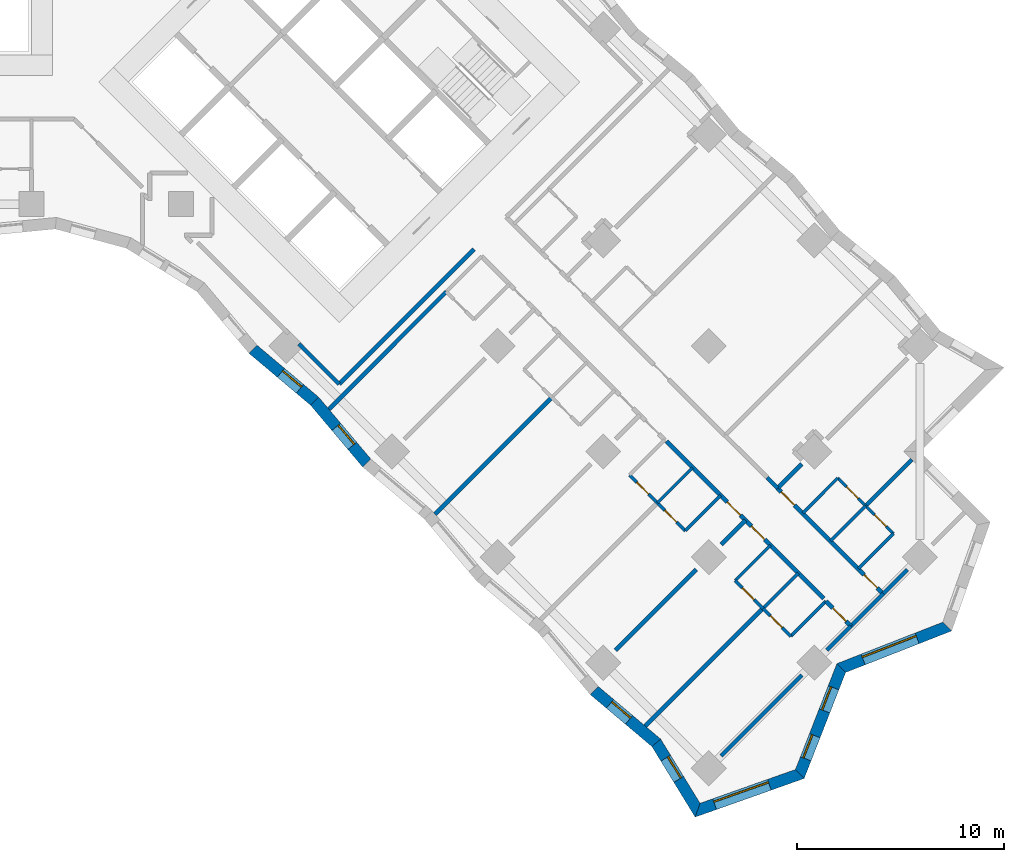
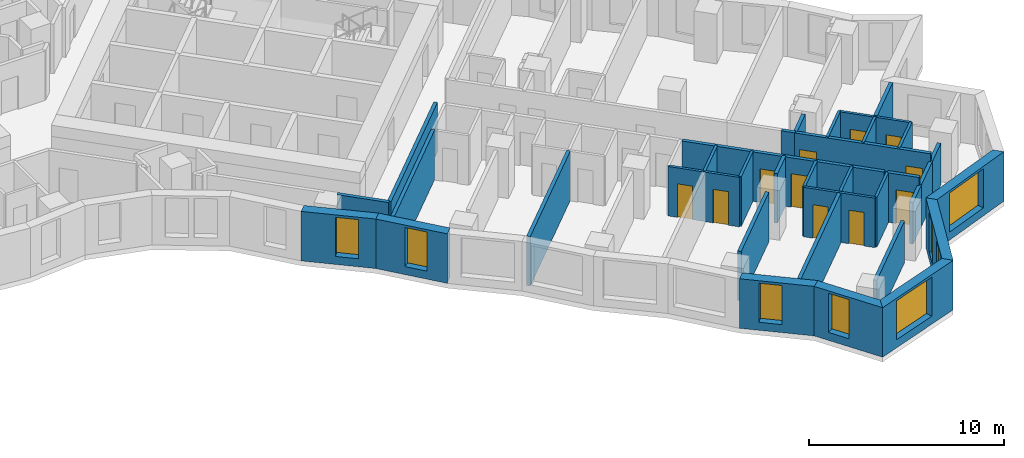
# One storey, part 8 of 13: 36 walls, 11 doors, 8 windows, 19 openings.
"""IFC4 building model written with IfcOpenShell, lengths in metres."""

from ifc_helpers import new_model, si_unit, direction, frame, frame_2d, origin, place, context, subcontext, project, spatial, polyline, rectangle, outline, extrude, material, layer, layer_set, type_object, element, fill, save


model = new_model("IFC4")

# Units and contexts
model_context = context("Model", 3, precision=1e-05, world=origin(), true_north=direction((0.0, 1.0)))
body_context = subcontext(model_context, "Body", "Model", "MODEL_VIEW")
ifc_project = project(units=[si_unit("LENGTHUNIT", "METRE"), si_unit("AREAUNIT", "SQUARE_METRE"), si_unit("VOLUMEUNIT", "CUBIC_METRE"), si_unit("PLANEANGLEUNIT", "RADIAN"), si_unit("MASSUNIT", "GRAM", prefix="KILO")], contexts=[model_context])

# Site, building, storey
site_placement = place(None, origin())
site = spatial("IfcSite", under=ifc_project, at=site_placement, CompositionType="ELEMENT")
building_placement = place(site_placement, origin())
building = spatial("IfcBuilding", under=site, at=building_placement, Name="Windrow Commons", CompositionType="ELEMENT")
storey_placement = place(building_placement, frame((0.0, 0.0, 30.4)))
storey = spatial("IfcBuildingStorey", under=building, at=storey_placement, Name="L07", CompositionType="ELEMENT", Elevation=30.4)

# Wall, opening, window
ifc_material_1 = material(Name="Brick masonry, red clay brick", Category="masonry")
ifc_layer_1 = layer(ifc_material_1, 0.55)
ifc_layer_set_1 = layer_set([ifc_layer_1], Name="Brick facade wall 550")
wall_type_1 = type_object("IfcWallType", Name="Brick facade wall 550", PredefinedType="SOLIDWALL", material=ifc_layer_set_1)
wall_1_placement = place(storey_placement, frame((104.1162, 13.976, 0.0), z_axis=(0.0, 0.0, 1.0), x_axis=(0.9426203267, 0.3338666195, 0.0)))
wall_1 = element("IfcWall", 1, at=wall_1_placement, inside=storey, type_object=wall_type_1, Name="Brick facade wall L07 1", PredefinedType="SOLIDWALL", context=body_context, shape_type="SweptSolid", body=[
    extrude(outline(polyline([(-0.2226, -0.275), (5.3529, -0.275), (5.1016, 0.275), (0.2226, 0.275), (-0.2226, -0.275)])), origin(), (0.0, 0.0, 1.0), 3.1),
])
opening_1_placement = place(wall_1_placement, frame((0.8714, 0.0, 0.5)))
opening_1 = element("IfcOpeningElement", 2, at=opening_1_placement, cuts=wall_1, Name="Opening W1T", PredefinedType="OPENING", context=body_context, shape_type="SweptSolid", body=[
    extrude(rectangle(XDim=2.8, YDim=2.45, at=frame_2d((1.4, 1.225))), frame((0.0, 0.285, 0.0), z_axis=(0.0, -1.0, 0.0), x_axis=(1.0, 0.0, 0.0)), (0.0, 0.0, 1.0), 0.57),
])
ifc_material_2 = material(Name="Clear float glass in anodised aluminium frame", Category="aluminium")
window_type_1 = type_object("IfcWindowType", Name="Window W1T bedroom 2800x2450", PartitioningType="SINGLE_PANEL", PredefinedType="WINDOW", material=ifc_material_2)
window_1_placement = place(opening_1_placement, origin())
window_1 = element("IfcWindow", 3, at=window_1_placement, inside=storey, type_object=window_type_1, Name="Window L07 1.1", OverallHeight=2.45, OverallWidth=2.8, PartitioningType="SINGLE_PANEL", PredefinedType="WINDOW", context=body_context, shape_type="SweptSolid", body=[
    extrude(rectangle(XDim=2.8, YDim=2.45, at=frame_2d((1.4, 1.225))), frame((0.0, 0.155, 0.0), z_axis=(0.0, -1.0, 0.0), x_axis=(1.0, 0.0, 0.0)), (0.0, 0.0, 1.0), 0.06),
])
fill(opening_1, window_1)

# Wall, openings, windows
wall_2_placement = place(storey_placement, frame((109.0435, 15.7212, 0.0), z_axis=(0.0, 0.0, 1.0), x_axis=(0.3646659578, 0.9311384103, 0.0)))
wall_2 = element("IfcWall", 4, at=wall_2_placement, inside=storey, type_object=wall_type_1, Name="Brick facade wall L07 2", PredefinedType="SOLIDWALL", context=body_context, shape_type="SweptSolid", body=[
    extrude(outline(polyline([(-0.1256, -0.275), (5.3667, -0.275), (5.6072, 0.275), (0.1256, 0.275), (-0.1256, -0.275)])), origin(), (0.0, 0.0, 1.0), 3.1),
])
opening_2_placement = place(wall_2_placement, frame((0.7865, 0.0, 0.5)))
opening_2 = element("IfcOpeningElement", 5, at=opening_2_placement, cuts=wall_2, Name="Opening W7D", PredefinedType="OPENING", context=body_context, shape_type="SweptSolid", body=[
    extrude(rectangle(XDim=1.2, YDim=2.45, at=frame_2d((0.6, 1.225))), frame((0.0, 0.285, 0.0), z_axis=(0.0, -1.0, 0.0), x_axis=(1.0, 0.0, 0.0)), (0.0, 0.0, 1.0), 0.57),
])
opening_3_placement = place(wall_2_placement, frame((3.2671, 0.0, 0.5)))
opening_3 = element("IfcOpeningElement", 6, at=opening_3_placement, cuts=wall_2, Name="Opening W7D", PredefinedType="OPENING", context=body_context, shape_type="SweptSolid", body=[
    extrude(rectangle(XDim=1.2, YDim=2.45, at=frame_2d((0.6, 1.225))), frame((0.0, 0.285, 0.0), z_axis=(0.0, -1.0, 0.0), x_axis=(1.0, 0.0, 0.0)), (0.0, 0.0, 1.0), 0.57),
])
ifc_material_3 = material(Name="Clear float glass in anodised aluminium frame", Category="aluminium")
window_type_2 = type_object("IfcWindowType", Name="Window W7 notch 1200x2450", PartitioningType="SINGLE_PANEL", PredefinedType="WINDOW", material=ifc_material_3)
window_2_placement = place(opening_2_placement, origin())
window_2 = element("IfcWindow", 7, at=window_2_placement, inside=storey, type_object=window_type_2, Name="Window L07 2.1", OverallHeight=2.45, OverallWidth=1.2, PartitioningType="SINGLE_PANEL", PredefinedType="WINDOW", context=body_context, shape_type="SweptSolid", body=[
    extrude(rectangle(XDim=1.2, YDim=2.45, at=frame_2d((0.6, 1.225))), frame((0.0, 0.155, 0.0), z_axis=(0.0, -1.0, 0.0), x_axis=(1.0, 0.0, 0.0)), (0.0, 0.0, 1.0), 0.06),
])
fill(opening_2, window_2)
window_3_placement = place(opening_3_placement, origin())
window_3 = element("IfcWindow", 8, at=window_3_placement, inside=storey, type_object=window_type_2, Name="Window L07 2.2", OverallHeight=2.45, OverallWidth=1.2, PartitioningType="SINGLE_PANEL", PredefinedType="WINDOW", context=body_context, shape_type="SweptSolid", body=[
    extrude(rectangle(XDim=1.2, YDim=2.45, at=frame_2d((0.6, 1.225))), frame((0.0, 0.155, 0.0), z_axis=(0.0, -1.0, 0.0), x_axis=(1.0, 0.0, 0.0)), (0.0, 0.0, 1.0), 0.06),
])
fill(opening_3, window_3)

# Wall, opening, window
wall_3_placement = place(storey_placement, frame((111.0444, 20.8303, 0.0), z_axis=(0.0, 0.0, 1.0), x_axis=(0.9311384103, 0.3646659578, 0.0)))
wall_3 = element("IfcWall", 9, at=wall_3_placement, inside=storey, type_object=wall_type_1, Name="Brick facade wall L07 3", PredefinedType="SOLIDWALL", context=body_context, shape_type="SweptSolid", body=[
    extrude(outline(polyline([(0.1202, -0.275), (5.6126, -0.275), (5.3613, 0.275), (-0.1202, 0.275), (0.1202, -0.275)])), origin(), (0.0, 0.0, 1.0), 3.1),
])
opening_4_placement = place(wall_3_placement, frame((1.1298, 0.0, 0.5)))
opening_4 = element("IfcOpeningElement", 10, at=opening_4_placement, cuts=wall_3, Name="Opening W1T", PredefinedType="OPENING", context=body_context, shape_type="SweptSolid", body=[
    extrude(rectangle(XDim=2.8, YDim=2.45, at=frame_2d((1.4, 1.225))), frame((0.0, 0.285, 0.0), z_axis=(0.0, -1.0, 0.0), x_axis=(1.0, 0.0, 0.0)), (0.0, 0.0, 1.0), 0.57),
])
window_4_placement = place(opening_4_placement, origin())
window_4 = element("IfcWindow", 11, at=window_4_placement, inside=storey, type_object=window_type_1, Name="Window L07 3.1", OverallHeight=2.45, OverallWidth=2.8, PartitioningType="SINGLE_PANEL", PredefinedType="WINDOW", context=body_context, shape_type="SweptSolid", body=[
    extrude(rectangle(XDim=2.8, YDim=2.45, at=frame_2d((1.4, 1.225))), frame((0.0, 0.155, 0.0), z_axis=(0.0, -1.0, 0.0), x_axis=(1.0, 0.0, 0.0)), (0.0, 0.0, 1.0), 0.06),
])
fill(opening_4, window_4)

wall_4_placement = place(storey_placement, frame((82.6756, 36.2039, 0.0), z_axis=(0.0, 0.0, 1.0), x_axis=(0.7645046987, -0.6446181549, 0.0)))
wall_4 = element("IfcWall", 12, at=wall_4_placement, inside=storey, type_object=wall_type_1, Name="Brick facade wall L07 56", PredefinedType="SOLIDWALL", context=body_context, shape_type="SweptSolid", body=[
    extrude(outline(polyline([(-0.0234, -0.275), (3.8695, -0.275), (3.9162, 0.275), (0.0234, 0.275), (-0.0234, -0.275)])), origin(), (0.0, 0.0, 1.0), 3.1),
])
opening_5_placement = place(wall_4_placement, frame((1.7636, 0.0, 0.5)))
opening_5 = element("IfcOpeningElement", 13, at=opening_5_placement, cuts=wall_4, Name="Opening W7D", PredefinedType="OPENING", context=body_context, shape_type="SweptSolid", body=[
    extrude(rectangle(XDim=1.2, YDim=2.45, at=frame_2d((0.6, 1.225))), frame((0.0, 0.285, 0.0), z_axis=(0.0, -1.0, 0.0), x_axis=(1.0, 0.0, 0.0)), (0.0, 0.0, 1.0), 0.57),
])
window_5_placement = place(opening_5_placement, origin())
window_5 = element("IfcWindow", 14, at=window_5_placement, inside=storey, type_object=window_type_2, Name="Window L07 56.1", OverallHeight=2.45, OverallWidth=1.2, PartitioningType="SINGLE_PANEL", PredefinedType="WINDOW", context=body_context, shape_type="SweptSolid", body=[
    extrude(rectangle(XDim=1.2, YDim=2.45, at=frame_2d((0.6, 1.225))), frame((0.0, 0.155, 0.0), z_axis=(0.0, -1.0, 0.0), x_axis=(1.0, 0.0, 0.0)), (0.0, 0.0, 1.0), 0.06),
])
fill(opening_5, window_5)

wall_5_placement = place(storey_placement, frame((85.6517, 33.6945, 0.0), z_axis=(0.0, 0.0, 1.0), x_axis=(0.6446181549, -0.7645046987, 0.0)))
wall_5 = element("IfcWall", 15, at=wall_5_placement, inside=storey, type_object=wall_type_1, Name="Brick facade wall L07 57", PredefinedType="SOLIDWALL", context=body_context, shape_type="SweptSolid", body=[
    extrude(outline(polyline([(0.0234, -0.275), (3.9162, -0.275), (3.8695, 0.275), (-0.0234, 0.275), (0.0234, -0.275)])), origin(), (0.0, 0.0, 1.0), 3.1),
])
opening_6_placement = place(wall_5_placement, frame((1.612, 0.0, 0.5)))
opening_6 = element("IfcOpeningElement", 16, at=opening_6_placement, cuts=wall_5, Name="Opening W7D", PredefinedType="OPENING", context=body_context, shape_type="SweptSolid", body=[
    extrude(rectangle(XDim=1.2, YDim=2.45, at=frame_2d((0.6, 1.225))), frame((0.0, 0.285, 0.0), z_axis=(0.0, -1.0, 0.0), x_axis=(1.0, 0.0, 0.0)), (0.0, 0.0, 1.0), 0.57),
])
window_6_placement = place(opening_6_placement, origin())
window_6 = element("IfcWindow", 17, at=window_6_placement, inside=storey, type_object=window_type_2, Name="Window L07 57.1", OverallHeight=2.45, OverallWidth=1.2, PartitioningType="SINGLE_PANEL", PredefinedType="WINDOW", context=body_context, shape_type="SweptSolid", body=[
    extrude(rectangle(XDim=1.2, YDim=2.45, at=frame_2d((0.6, 1.225))), frame((0.0, 0.155, 0.0), z_axis=(0.0, -1.0, 0.0), x_axis=(1.0, 0.0, 0.0)), (0.0, 0.0, 1.0), 0.06),
])
fill(opening_6, window_6)

wall_6_placement = place(storey_placement, frame((99.1321, 19.7474, 0.0), z_axis=(0.0, 0.0, 1.0), x_axis=(0.7645141753, -0.6446069156, 0.0)))
wall_6 = element("IfcWall", 18, at=wall_6_placement, inside=storey, type_object=wall_type_1, Name="Brick facade wall L07 62", PredefinedType="SOLIDWALL", context=body_context, shape_type="SweptSolid", body=[
    extrude(outline(polyline([(-0.0234, -0.275), (3.8695, -0.275), (3.9583, 0.275), (0.0234, 0.275), (-0.0234, -0.275)])), origin(), (0.0, 0.0, 1.0), 3.1),
])
opening_7_placement = place(wall_6_placement, frame((0.9959, 0.0, 0.5)))
opening_7 = element("IfcOpeningElement", 19, at=opening_7_placement, cuts=wall_6, Name="Opening W7D", PredefinedType="OPENING", context=body_context, shape_type="SweptSolid", body=[
    extrude(rectangle(XDim=1.2, YDim=2.45, at=frame_2d((0.6, 1.225))), frame((0.0, 0.285, 0.0), z_axis=(0.0, -1.0, 0.0), x_axis=(1.0, 0.0, 0.0)), (0.0, 0.0, 1.0), 0.57),
])
window_7_placement = place(opening_7_placement, origin())
window_7 = element("IfcWindow", 20, at=window_7_placement, inside=storey, type_object=window_type_2, Name="Window L07 62.1", OverallHeight=2.45, OverallWidth=1.2, PartitioningType="SINGLE_PANEL", PredefinedType="WINDOW", context=body_context, shape_type="SweptSolid", body=[
    extrude(rectangle(XDim=1.2, YDim=2.45, at=frame_2d((0.6, 1.225))), frame((0.0, 0.155, 0.0), z_axis=(0.0, -1.0, 0.0), x_axis=(1.0, 0.0, 0.0)), (0.0, 0.0, 1.0), 0.06),
])
fill(opening_7, window_7)

wall_7_placement = place(storey_placement, frame((102.1243, 17.2245, 0.0), z_axis=(0.0, 0.0, 1.0), x_axis=(0.5227306608, -0.8524978922, 0.0)))
wall_7 = element("IfcWall", 21, at=wall_7_placement, inside=storey, type_object=wall_type_1, Name="Brick facade wall L07 63", PredefinedType="SOLIDWALL", context=body_context, shape_type="SweptSolid", body=[
    extrude(outline(polyline([(0.0444, -0.275), (4.0332, -0.275), (3.5879, 0.275), (-0.0444, 0.275), (0.0444, -0.275)])), origin(), (0.0, 0.0, 1.0), 3.1),
])
opening_8_placement = place(wall_7_placement, frame((0.8666, 0.0, 0.5)))
opening_8 = element("IfcOpeningElement", 22, at=opening_8_placement, cuts=wall_7, Name="Opening W7D", PredefinedType="OPENING", context=body_context, shape_type="SweptSolid", body=[
    extrude(rectangle(XDim=1.2, YDim=2.45, at=frame_2d((0.6, 1.225))), frame((0.0, 0.285, 0.0), z_axis=(0.0, -1.0, 0.0), x_axis=(1.0, 0.0, 0.0)), (0.0, 0.0, 1.0), 0.57),
])
window_8_placement = place(opening_8_placement, origin())
window_8 = element("IfcWindow", 23, at=window_8_placement, inside=storey, type_object=window_type_2, Name="Window L07 63.1", OverallHeight=2.45, OverallWidth=1.2, PartitioningType="SINGLE_PANEL", PredefinedType="WINDOW", context=body_context, shape_type="SweptSolid", body=[
    extrude(rectangle(XDim=1.2, YDim=2.45, at=frame_2d((0.6, 1.225))), frame((0.0, 0.155, 0.0), z_axis=(0.0, -1.0, 0.0), x_axis=(1.0, 0.0, 0.0)), (0.0, 0.0, 1.0), 0.06),
])
fill(opening_8, window_8)

# Wall, openings, doors
ifc_material_4 = material(Name="Blockwork partition", Category="masonry")
ifc_layer_2 = layer(ifc_material_4, 0.2)
ifc_layer_set_2 = layer_set([ifc_layer_2], Name="IW-CORRIDOR-200")
wall_type_2 = type_object("IfcWallType", Name="IW-CORRIDOR-200", PredefinedType="PARTITIONING", material=ifc_layer_set_2)
wall_8_placement = place(storey_placement, frame((102.6093, 31.7693, 0.0), z_axis=(0.0, 0.0, 1.0), x_axis=(0.7071067812, -0.7071067812, 0.0)))
wall_8 = element("IfcWall", 24, at=wall_8_placement, inside=storey, type_object=wall_type_2, Name="W-L07-W006", PredefinedType="PARTITIONING", context=body_context, shape_type="SweptSolid", body=[
    extrude(rectangle(XDim=10.7226, YDim=0.2, at=frame_2d((5.3613, 0.0))), origin(), (0.0, 0.0, 1.0), 3.1),
])
opening_9_placement = place(wall_8_placement, frame((4.1497, 0.0, 0.0)))
opening_9 = element("IfcOpeningElement", 25, at=opening_9_placement, cuts=wall_8, Name="Opening D109S", PredefinedType="OPENING", context=body_context, shape_type="SweptSolid", body=[
    extrude(rectangle(XDim=0.9, YDim=2.1, at=frame_2d((0.45, 1.05))), frame((0.0, 0.11, 0.0), z_axis=(0.0, -1.0, 0.0), x_axis=(1.0, 0.0, 0.0)), (0.0, 0.0, 1.0), 0.22),
])
opening_10_placement = place(wall_8_placement, frame((5.7997, 0.0, 0.0)))
opening_10 = element("IfcOpeningElement", 26, at=opening_10_placement, cuts=wall_8, Name="Opening D109S", PredefinedType="OPENING", context=body_context, shape_type="SweptSolid", body=[
    extrude(rectangle(XDim=0.9, YDim=2.1, at=frame_2d((0.45, 1.05))), frame((0.0, 0.11, 0.0), z_axis=(0.0, -1.0, 0.0), x_axis=(1.0, 0.0, 0.0)), (0.0, 0.0, 1.0), 0.22),
])
ifc_material_5 = material(Name="Timber door leaf", Category="wood")
door_type_1 = type_object("IfcDoorType", Name="DT-BEDROOM-900", OperationType="SINGLE_SWING_LEFT", PredefinedType="DOOR", material=ifc_material_5)
door_1_placement = place(opening_9_placement, origin())
door_1 = element("IfcDoor", 27, at=door_1_placement, inside=storey, type_object=door_type_1, Name="D-L07-D065", OperationType="SINGLE_SWING_LEFT", OverallHeight=2.1, OverallWidth=0.9, PredefinedType="DOOR", context=body_context, shape_type="SweptSolid", body=[
    extrude(rectangle(XDim=0.9, YDim=2.1, at=frame_2d((0.45, 1.05))), frame((0.0, 0.025, 0.0), z_axis=(0.0, -1.0, 0.0), x_axis=(1.0, 0.0, 0.0)), (0.0, 0.0, 1.0), 0.05),
])
fill(opening_9, door_1)
door_2_placement = place(opening_10_placement, origin())
door_2 = element("IfcDoor", 28, at=door_2_placement, inside=storey, type_object=door_type_1, Name="D-L07-D067", OperationType="SINGLE_SWING_RIGHT", OverallHeight=2.1, OverallWidth=0.9, PredefinedType="DOOR", context=body_context, shape_type="SweptSolid", body=[
    extrude(rectangle(XDim=0.9, YDim=2.1, at=frame_2d((0.45, 1.05))), frame((0.0, 0.025, 0.0), z_axis=(0.0, -1.0, 0.0), x_axis=(1.0, 0.0, 0.0)), (0.0, 0.0, 1.0), 0.05),
])
fill(opening_10, door_2)

# Wall
wall_9_placement = place(storey_placement, frame((86.8381, 34.5219, 0.0), z_axis=(0.0, 0.0, 1.0), x_axis=(0.7072154749, 0.7069980708, 0.0)))
element("IfcWall", 29, at=wall_9_placement, inside=storey, type_object=wall_type_2, Name="W-L07-W009", PredefinedType="PARTITIONING", context=body_context, shape_type="SweptSolid", body=[
    extrude(rectangle(XDim=9.1995, YDim=0.2, at=frame_2d((4.5998, 0.0))), origin(), (0.0, 0.0, 1.0), 3.1),
])

# Wall, openings, doors
wall_10_placement = place(storey_placement, frame((107.9769, 29.4989, 0.0), z_axis=(0.0, 0.0, 1.0), x_axis=(0.7071067812, -0.7071067812, 0.0)))
wall_10 = element("IfcWall", 30, at=wall_10_placement, inside=storey, type_object=wall_type_2, Name="W-L07-W024", PredefinedType="PARTITIONING", context=body_context, shape_type="SweptSolid", body=[
    extrude(rectangle(XDim=7.1983, YDim=0.2, at=frame_2d((3.5991, 0.0))), origin(), (0.0, 0.0, 1.0), 3.1),
])
opening_11_placement = place(wall_10_placement, frame((0.2472, 0.0, 0.0)))
opening_11 = element("IfcOpeningElement", 31, at=opening_11_placement, cuts=wall_10, Name="Opening D109S", PredefinedType="OPENING", context=body_context, shape_type="SweptSolid", body=[
    extrude(rectangle(XDim=0.9, YDim=2.1, at=frame_2d((0.45, 1.05))), frame((0.0, 0.11, 0.0), z_axis=(0.0, -1.0, 0.0), x_axis=(1.0, 0.0, 0.0)), (0.0, 0.0, 1.0), 0.22),
])
opening_12_placement = place(wall_10_placement, frame((5.8988, 0.0, 0.0)))
opening_12 = element("IfcOpeningElement", 32, at=opening_12_placement, cuts=wall_10, Name="Opening D109S", PredefinedType="OPENING", context=body_context, shape_type="SweptSolid", body=[
    extrude(rectangle(XDim=0.9, YDim=2.1, at=frame_2d((0.45, 1.05))), frame((0.0, 0.11, 0.0), z_axis=(0.0, -1.0, 0.0), x_axis=(1.0, 0.0, 0.0)), (0.0, 0.0, 1.0), 0.22),
])
door_3_placement = place(opening_11_placement, origin())
door_3 = element("IfcDoor", 33, at=door_3_placement, inside=storey, type_object=door_type_1, Name="D-L07-D055", OperationType="SINGLE_SWING_LEFT", OverallHeight=2.1, OverallWidth=0.9, PredefinedType="DOOR", context=body_context, shape_type="SweptSolid", body=[
    extrude(rectangle(XDim=0.9, YDim=2.1, at=frame_2d((0.45, 1.05))), frame((0.0, 0.025, 0.0), z_axis=(0.0, -1.0, 0.0), x_axis=(1.0, 0.0, 0.0)), (0.0, 0.0, 1.0), 0.05),
])
fill(opening_11, door_3)
door_4_placement = place(opening_12_placement, origin())
door_4 = element("IfcDoor", 34, at=door_4_placement, inside=storey, type_object=door_type_1, Name="D-L07-D071", OperationType="SINGLE_SWING_RIGHT", OverallHeight=2.1, OverallWidth=0.9, PredefinedType="DOOR", context=body_context, shape_type="SweptSolid", body=[
    extrude(rectangle(XDim=0.9, YDim=2.1, at=frame_2d((0.45, 1.05))), frame((0.0, 0.025, 0.0), z_axis=(0.0, -1.0, 0.0), x_axis=(1.0, 0.0, 0.0)), (0.0, 0.0, 1.0), 0.05),
])
fill(opening_12, door_4)

# Walls
wall_11_placement = place(storey_placement, frame((84.8888, 36.4648, 0.0), z_axis=(0.0, 0.0, 1.0), x_axis=(0.7071067812, -0.7071067812, 0.0)))
element("IfcWall", 35, at=wall_11_placement, inside=storey, type_object=wall_type_2, Name="W-L07-W073", PredefinedType="PARTITIONING", context=body_context, shape_type="SweptSolid", body=[
    extrude(rectangle(XDim=2.7492, YDim=0.2, at=frame_2d((1.3746, 0.0))), origin(), (0.0, 0.0, 1.0), 3.1),
])
wall_12_placement = place(storey_placement, frame((111.5135, 22.8565, 0.0), z_axis=(0.0, 0.0, 1.0), x_axis=(0.7071067812, 0.7071067812, 0.0)))
element("IfcWall", 36, at=wall_12_placement, inside=storey, type_object=wall_type_2, Name="W-L07-W127", PredefinedType="PARTITIONING", context=body_context, shape_type="SweptSolid", body=[
    extrude(rectangle(XDim=2.2005, YDim=0.2, at=frame_2d((1.1002, 0.0))), origin(), (0.0, 0.0, 1.0), 2.6),
])

# Wall, opening, door
wall_13_placement = place(storey_placement, frame((110.3092, 24.0552, 0.0), z_axis=(0.0, 0.0, 1.0), x_axis=(0.7071067812, -0.7071067812, 0.0)))
wall_13 = element("IfcWall", 37, at=wall_13_placement, inside=storey, type_object=wall_type_2, Name="W-L07-W164", PredefinedType="PARTITIONING", context=body_context, shape_type="SweptSolid", body=[
    extrude(rectangle(XDim=1.6999, YDim=0.2, at=frame_2d((0.8499, 0.0))), origin(), (0.0, 0.0, 1.0), 3.1),
])
opening_13_placement = place(wall_13_placement, frame((0.4665, 0.0, 0.0)))
opening_13 = element("IfcOpeningElement", 38, at=opening_13_placement, cuts=wall_13, Name="Opening D109S", PredefinedType="OPENING", context=body_context, shape_type="SweptSolid", body=[
    extrude(rectangle(XDim=0.9, YDim=2.1, at=frame_2d((0.45, 1.05))), frame((0.0, 0.11, 0.0), z_axis=(0.0, -1.0, 0.0), x_axis=(1.0, 0.0, 0.0)), (0.0, 0.0, 1.0), 0.22),
])
door_5_placement = place(opening_13_placement, origin())
door_5 = element("IfcDoor", 39, at=door_5_placement, inside=storey, type_object=door_type_1, Name="D-L07-D069", OperationType="SINGLE_SWING_LEFT", OverallHeight=2.1, OverallWidth=0.9, PredefinedType="DOOR", context=body_context, shape_type="SweptSolid", body=[
    extrude(rectangle(XDim=0.9, YDim=2.1, at=frame_2d((0.45, 1.05))), frame((0.0, 0.025, 0.0), z_axis=(0.0, -1.0, 0.0), x_axis=(1.0, 0.0, 0.0)), (0.0, 0.0, 1.0), 0.05),
])
fill(opening_13, door_5)

# Wall
wall_14_placement = place(storey_placement, frame((107.4663, 30.0143, 0.0), z_axis=(0.0, 0.0, 1.0), x_axis=(0.7057270646, -0.7084838109, 0.0)))
element("IfcWall", 40, at=wall_14_placement, inside=storey, type_object=wall_type_2, Name="W-L07-W189", PredefinedType="PARTITIONING", context=body_context, shape_type="SweptSolid", body=[
    extrude(rectangle(XDim=0.7255, YDim=0.2, at=frame_2d((0.3628, 0.0))), origin(), (0.0, 0.0, 1.0), 3.1),
])

# Wall, openings, doors
ifc_material_6 = material(Name="Blockwork partition", Category="masonry")
ifc_layer_3 = layer(ifc_material_6, 0.15)
ifc_layer_set_3 = layer_set([ifc_layer_3], Name="IW-ENSUITE-150")
wall_type_3 = type_object("IfcWallType", Name="IW-ENSUITE-150", PredefinedType="PARTITIONING", material=ifc_layer_set_3)
wall_15_placement = place(storey_placement, frame((110.8749, 29.9949, 0.0), z_axis=(0.0, 0.0, 1.0), x_axis=(0.7071067812, -0.7071067812, 0.0)))
wall_15 = element("IfcWall", 41, at=wall_15_placement, inside=storey, type_object=wall_type_3, Name="W-L07-W059", PredefinedType="PARTITIONING", context=body_context, shape_type="SweptSolid", body=[
    extrude(rectangle(XDim=3.8014, YDim=0.15, at=frame_2d((1.9007, 0.0))), origin(), (0.0, 0.0, 1.0), 3.1),
])
opening_14_placement = place(wall_15_placement, frame((0.5983, 0.0, 0.0)))
opening_14 = element("IfcOpeningElement", 42, at=opening_14_placement, cuts=wall_15, Name="Opening D208N", PredefinedType="OPENING", context=body_context, shape_type="SweptSolid", body=[
    extrude(rectangle(XDim=0.8, YDim=2.1, at=frame_2d((0.4, 1.05))), frame((0.0, 0.085, 0.0), z_axis=(0.0, -1.0, 0.0), x_axis=(1.0, 0.0, 0.0)), (0.0, 0.0, 1.0), 0.17),
])
opening_15_placement = place(wall_15_placement, frame((2.5073, 0.0, 0.0)))
opening_15 = element("IfcOpeningElement", 43, at=opening_15_placement, cuts=wall_15, Name="Opening D208N", PredefinedType="OPENING", context=body_context, shape_type="SweptSolid", body=[
    extrude(rectangle(XDim=0.8, YDim=2.1, at=frame_2d((0.4, 1.05))), frame((0.0, 0.085, 0.0), z_axis=(0.0, -1.0, 0.0), x_axis=(1.0, 0.0, 0.0)), (0.0, 0.0, 1.0), 0.17),
])
ifc_material_7 = material(Name="Timber door leaf", Category="wood")
door_type_2 = type_object("IfcDoorType", Name="DT-ENSUITE-800", OperationType="SINGLE_SWING_LEFT", PredefinedType="DOOR", material=ifc_material_7)
door_6_placement = place(opening_14_placement, origin())
door_6 = element("IfcDoor", 44, at=door_6_placement, inside=storey, type_object=door_type_2, Name="D-L07-D056", OperationType="SINGLE_SWING_RIGHT", OverallHeight=2.1, OverallWidth=0.8, PredefinedType="DOOR", context=body_context, shape_type="SweptSolid", body=[
    extrude(rectangle(XDim=0.8, YDim=2.1, at=frame_2d((0.4, 1.05))), frame((0.0, 0.025, 0.0), z_axis=(0.0, -1.0, 0.0), x_axis=(1.0, 0.0, 0.0)), (0.0, 0.0, 1.0), 0.05),
])
fill(opening_14, door_6)
door_7_placement = place(opening_15_placement, origin())
door_7 = element("IfcDoor", 45, at=door_7_placement, inside=storey, type_object=door_type_2, Name="D-L07-D072", OperationType="SINGLE_SWING_RIGHT", OverallHeight=2.1, OverallWidth=0.8, PredefinedType="DOOR", context=body_context, shape_type="SweptSolid", body=[
    extrude(rectangle(XDim=0.8, YDim=2.1, at=frame_2d((0.4, 1.05))), frame((0.0, 0.025, 0.0), z_axis=(0.0, -1.0, 0.0), x_axis=(1.0, 0.0, 0.0)), (0.0, 0.0, 1.0), 0.05),
])
fill(opening_15, door_7)

wall_16_placement = place(storey_placement, frame((100.8361, 30.1381, 0.0), z_axis=(0.0, 0.0, 1.0), x_axis=(0.7065802685, -0.7076329021, 0.0)))
wall_16 = element("IfcWall", 46, at=wall_16_placement, inside=storey, type_object=wall_type_3, Name="W-L07-W065", PredefinedType="PARTITIONING", context=body_context, shape_type="SweptSolid", body=[
    extrude(rectangle(XDim=3.8, YDim=0.15, at=frame_2d((1.9, 0.0))), origin(), (0.0, 0.0, 1.0), 3.1),
])
opening_16_placement = place(wall_16_placement, frame((0.4932, 0.0, 0.0)))
opening_16 = element("IfcOpeningElement", 47, at=opening_16_placement, cuts=wall_16, Name="Opening D208N", PredefinedType="OPENING", context=body_context, shape_type="SweptSolid", body=[
    extrude(rectangle(XDim=0.8, YDim=2.1, at=frame_2d((0.4, 1.05))), frame((0.0, 0.085, 0.0), z_axis=(0.0, -1.0, 0.0), x_axis=(1.0, 0.0, 0.0)), (0.0, 0.0, 1.0), 0.17),
])
opening_17_placement = place(wall_16_placement, frame((2.4022, 0.0, 0.0)))
opening_17 = element("IfcOpeningElement", 48, at=opening_17_placement, cuts=wall_16, Name="Opening D208N", PredefinedType="OPENING", context=body_context, shape_type="SweptSolid", body=[
    extrude(rectangle(XDim=0.8, YDim=2.1, at=frame_2d((0.4, 1.05))), frame((0.0, 0.085, 0.0), z_axis=(0.0, -1.0, 0.0), x_axis=(1.0, 0.0, 0.0)), (0.0, 0.0, 1.0), 0.17),
])
door_8_placement = place(opening_16_placement, origin())
door_8 = element("IfcDoor", 49, at=door_8_placement, inside=storey, type_object=door_type_2, Name="D-L07-D064", OperationType="SINGLE_SWING_RIGHT", OverallHeight=2.1, OverallWidth=0.8, PredefinedType="DOOR", context=body_context, shape_type="SweptSolid", body=[
    extrude(rectangle(XDim=0.8, YDim=2.1, at=frame_2d((0.4, 1.05))), frame((0.0, 0.025, 0.0), z_axis=(0.0, -1.0, 0.0), x_axis=(1.0, 0.0, 0.0)), (0.0, 0.0, 1.0), 0.05),
])
fill(opening_16, door_8)
door_9_placement = place(opening_17_placement, origin())
door_9 = element("IfcDoor", 50, at=door_9_placement, inside=storey, type_object=door_type_2, Name="D-L07-D066", OperationType="SINGLE_SWING_RIGHT", OverallHeight=2.1, OverallWidth=0.8, PredefinedType="DOOR", context=body_context, shape_type="SweptSolid", body=[
    extrude(rectangle(XDim=0.8, YDim=2.1, at=frame_2d((0.4, 1.05))), frame((0.0, 0.025, 0.0), z_axis=(0.0, -1.0, 0.0), x_axis=(1.0, 0.0, 0.0)), (0.0, 0.0, 1.0), 0.05),
])
fill(opening_17, door_9)

# Walls
for number, where, z_axis, x_axis, name in (
    (51, (103.5233, 27.4527, 0.0), (0.0, 0.0, 1.0), (0.7071067812, 0.7071067812, 0.0), "W-L07-W080"),
    (52, (105.9274, 25.0486, 0.0), (0.0, 0.0, 1.0), (0.7071067812, 0.7071067812, 0.0), "W-L07-W081"),
    (53, (107.2709, 23.7051, 0.0), (0.0, 0.0, 1.0), (0.7071067812, 0.7071067812, 0.0), "W-L07-W083"),
):
    element("IfcWall", number, at=place(storey_placement, frame(where, z_axis=z_axis, x_axis=x_axis)), inside=storey, type_object=wall_type_3, Name=name, PredefinedType="PARTITIONING", context=body_context, shape_type="SweptSolid", body=[
        extrude(rectangle(XDim=2.4013, YDim=0.15, at=frame_2d((1.2006, 0.0))), origin(), (0.0, 0.0, 1.0), 3.1),
    ])
for number, where, z_axis, x_axis, name in (
    (54, (109.1824, 28.2996, 0.0), (0.0, 0.0, 1.0), (0.706689978, 0.7075233388, 0.0), "W-L07-W118"),
    (55, (111.8655, 25.6165, 0.0), (0.0, 0.0, 1.0), (0.7075233388, 0.706689978, 0.0), "W-L07-W119"),
    (56, (110.522, 26.96, 0.0), (0.0, 0.0, 1.0), (0.7075233388, 0.706689978, 0.0), "W-L07-W122"),
):
    element("IfcWall", number, at=place(storey_placement, frame(where, z_axis=z_axis, x_axis=x_axis)), inside=storey, type_object=wall_type_3, Name=name, PredefinedType="PARTITIONING", context=body_context, shape_type="SweptSolid", body=[
        extrude(rectangle(XDim=2.3999, YDim=0.15, at=frame_2d((1.2, 0.0))), origin(), (0.0, 0.0, 1.0), 3.1),
    ])
for number, where, z_axis, x_axis, name in (
    (57, (108.6154, 22.3626, 0.0), (0.0, 0.0, 1.0), (0.7071067812, 0.7071067812, 0.0), "W-L07-W124"),
    (58, (102.1808, 28.7972, 0.0), (0.0, 0.0, 1.0), (0.7071067812, 0.7071067812, 0.0), "W-L07-W126"),
):
    element("IfcWall", number, at=place(storey_placement, frame(where, z_axis=z_axis, x_axis=x_axis)), inside=storey, type_object=wall_type_3, Name=name, PredefinedType="PARTITIONING", context=body_context, shape_type="SweptSolid", body=[
        extrude(rectangle(XDim=2.3985, YDim=0.15, at=frame_2d((1.1992, 0.0))), origin(), (0.0, 0.0, 1.0), 3.1),
    ])

# Wall, opening, door
wall_17_placement = place(storey_placement, frame((105.9252, 25.0452, 0.0), z_axis=(0.0, 0.0, 1.0), x_axis=(0.7071067812, -0.7071067812, 0.0)))
wall_17 = element("IfcWall", 59, at=wall_17_placement, inside=storey, type_object=wall_type_3, Name="W-L07-W136", PredefinedType="PARTITIONING", context=body_context, shape_type="SweptSolid", body=[
    extrude(rectangle(XDim=1.9007, YDim=0.15, at=frame_2d((0.9504, 0.0))), origin(), (0.0, 0.0, 1.0), 3.1),
])
opening_18_placement = place(wall_17_placement, frame((0.4935, 0.0, 0.0)))
opening_18 = element("IfcOpeningElement", 60, at=opening_18_placement, cuts=wall_17, Name="Opening D208N", PredefinedType="OPENING", context=body_context, shape_type="SweptSolid", body=[
    extrude(rectangle(XDim=0.8, YDim=2.1, at=frame_2d((0.4, 1.05))), frame((0.0, 0.085, 0.0), z_axis=(0.0, -1.0, 0.0), x_axis=(1.0, 0.0, 0.0)), (0.0, 0.0, 1.0), 0.17),
])
door_10_placement = place(opening_18_placement, origin())
door_10 = element("IfcDoor", 61, at=door_10_placement, inside=storey, type_object=door_type_2, Name="D-L07-D068", OperationType="SINGLE_SWING_RIGHT", OverallHeight=2.1, OverallWidth=0.8, PredefinedType="DOOR", context=body_context, shape_type="SweptSolid", body=[
    extrude(rectangle(XDim=0.8, YDim=2.1, at=frame_2d((0.4, 1.05))), frame((0.0, 0.025, 0.0), z_axis=(0.0, -1.0, 0.0), x_axis=(1.0, 0.0, 0.0)), (0.0, 0.0, 1.0), 0.05),
])
fill(opening_18, door_10)

wall_18_placement = place(storey_placement, frame((107.272, 23.704, 0.0), z_axis=(0.0, 0.0, 1.0), x_axis=(0.7076330979, -0.7065800724, 0.0)))
wall_18 = element("IfcWall", 62, at=wall_18_placement, inside=storey, type_object=wall_type_3, Name="W-L07-W155", PredefinedType="PARTITIONING", context=body_context, shape_type="SweptSolid", body=[
    extrude(rectangle(XDim=1.8993, YDim=0.15, at=frame_2d((0.9496, 0.0))), origin(), (0.0, 0.0, 1.0), 3.1),
])
opening_19_placement = place(wall_18_placement, frame((0.5032, 0.0, 0.0)))
opening_19 = element("IfcOpeningElement", 63, at=opening_19_placement, cuts=wall_18, Name="Opening D208N", PredefinedType="OPENING", context=body_context, shape_type="SweptSolid", body=[
    extrude(rectangle(XDim=0.8, YDim=2.1, at=frame_2d((0.4, 1.05))), frame((0.0, 0.085, 0.0), z_axis=(0.0, -1.0, 0.0), x_axis=(1.0, 0.0, 0.0)), (0.0, 0.0, 1.0), 0.17),
])
door_11_placement = place(opening_19_placement, origin())
door_11 = element("IfcDoor", 64, at=door_11_placement, inside=storey, type_object=door_type_2, Name="D-L07-D070", OperationType="SINGLE_SWING_RIGHT", OverallHeight=2.1, OverallWidth=0.8, PredefinedType="DOOR", context=body_context, shape_type="SweptSolid", body=[
    extrude(rectangle(XDim=0.8, YDim=2.1, at=frame_2d((0.4, 1.05))), frame((0.0, 0.025, 0.0), z_axis=(0.0, -1.0, 0.0), x_axis=(1.0, 0.0, 0.0)), (0.0, 0.0, 1.0), 0.05),
])
fill(opening_19, door_11)

# Walls
ifc_material_8 = material(Name="Blockwork partition", Category="masonry")
ifc_layer_4 = layer(ifc_material_8, 0.2)
ifc_layer_set_4 = layer_set([ifc_layer_4], Name="IW-PARTY-200")
wall_type_4 = type_object("IfcWallType", Name="IW-PARTY-200", PredefinedType="PARTITIONING", material=ifc_layer_set_4)
wall_19_placement = place(storey_placement, frame((101.592, 18.0329, 0.0), z_axis=(0.0, 0.0, 1.0), x_axis=(0.7072375867, 0.7069759514, 0.0)))
element("IfcWall", 65, at=wall_19_placement, inside=storey, type_object=wall_type_4, Name="W-L07-W017", PredefinedType="PARTITIONING", context=body_context, shape_type="SweptSolid", body=[
    extrude(rectangle(XDim=8.0264, YDim=0.2, at=frame_2d((4.0132, 0.0))), origin(), (0.0, 0.0, 1.0), 3.1),
])
wall_20_placement = place(storey_placement, frame((86.3356, 33.31, 0.0), z_axis=(0.0, 0.0, 1.0), x_axis=(0.7069819543, 0.707231586, 0.0)))
element("IfcWall", 66, at=wall_20_placement, inside=storey, type_object=wall_type_4, Name="W-L07-W019", PredefinedType="PARTITIONING", context=body_context, shape_type="SweptSolid", body=[
    extrude(rectangle(XDim=8.0118, YDim=0.2, at=frame_2d((4.0059, 0.0))), origin(), (0.0, 0.0, 1.0), 3.1),
])
wall_21_placement = place(storey_placement, frame((91.4606, 28.252, 0.0), z_axis=(0.0, 0.0, 1.0), x_axis=(0.7072323284, 0.7069812117, 0.0)))
element("IfcWall", 67, at=wall_21_placement, inside=storey, type_object=wall_type_4, Name="W-L07-W022", PredefinedType="PARTITIONING", context=body_context, shape_type="SweptSolid", body=[
    extrude(rectangle(XDim=7.9644, YDim=0.2, at=frame_2d((3.9822, 0.0))), origin(), (0.0, 0.0, 1.0), 3.1),
])
wall_22_placement = place(storey_placement, frame((105.2555, 16.5985, 0.0), z_axis=(0.0, 0.0, 1.0), x_axis=(0.7071067812, 0.7071067812, 0.0)))
element("IfcWall", 68, at=wall_22_placement, inside=storey, type_object=wall_type_4, Name="W-L07-W041", PredefinedType="PARTITIONING", context=body_context, shape_type="SweptSolid", body=[
    extrude(rectangle(XDim=5.5041, YDim=0.2, at=frame_2d((2.7521, 0.0))), origin(), (0.0, 0.0, 1.0), 2.6),
])
wall_23_placement = place(storey_placement, frame((100.1634, 21.6886, 0.0), z_axis=(0.0, 0.0, 1.0), x_axis=(0.7071067812, 0.7071067812, 0.0)))
element("IfcWall", 69, at=wall_23_placement, inside=storey, type_object=wall_type_4, Name="W-L07-W044", PredefinedType="PARTITIONING", context=body_context, shape_type="SweptSolid", body=[
    extrude(rectangle(XDim=5.5041, YDim=0.2, at=frame_2d((2.7521, 0.0))), origin(), (0.0, 0.0, 1.0), 3.1),
])
wall_24_placement = place(storey_placement, frame((112.2209, 28.6551, 0.0), z_axis=(0.0, 0.0, 1.0), x_axis=(0.7071067812, 0.7071067812, 0.0)))
element("IfcWall", 70, at=wall_24_placement, inside=storey, type_object=wall_type_4, Name="W-L07-W069", PredefinedType="PARTITIONING", context=body_context, shape_type="SweptSolid", body=[
    extrude(rectangle(XDim=3.1502, YDim=0.2, at=frame_2d((1.5751, 0.0))), origin(), (0.0, 0.0, 1.0), 3.1),
])
wall_25_placement = place(storey_placement, frame((105.2554, 26.7806, 0.0), z_axis=(0.0, 0.0, 1.0), x_axis=(0.7071067812, 0.7071067812, 0.0)))
element("IfcWall", 71, at=wall_25_placement, inside=storey, type_object=wall_type_4, Name="W-L07-W166", PredefinedType="PARTITIONING", context=body_context, shape_type="SweptSolid", body=[
    extrude(rectangle(XDim=1.6518, YDim=0.2, at=frame_2d((0.8259, 0.0))), origin(), (0.0, 0.0, 1.0), 3.1),
])
for number, where, z_axis, x_axis, name in (
    (72, (110.3455, 21.6885, 0.0), (0.0, 0.0, 1.0), (0.7071067812, 0.7071067812, 0.0), "W-L07-W168"),
    (73, (113.0695, 24.4125, 0.0), (0.0, 0.0, 1.0), (0.7071067812, 0.7071067812, 0.0), "W-L07-W169"),
):
    element("IfcWall", number, at=place(storey_placement, frame(where, z_axis=z_axis, x_axis=x_axis)), inside=storey, type_object=wall_type_4, Name=name, PredefinedType="PARTITIONING", context=body_context, shape_type="SweptSolid", body=[
        extrude(rectangle(XDim=1.6518, YDim=0.2, at=frame_2d((0.8259, 0.0))), origin(), (0.0, 0.0, 1.0), 2.6),
    ])
wall_26_placement = place(storey_placement, frame((107.9784, 29.5036, 0.0), z_axis=(0.0, 0.0, 1.0), x_axis=(0.7071067812, 0.7071067812, 0.0)))
element("IfcWall", 74, at=wall_26_placement, inside=storey, type_object=wall_type_4, Name="W-L07-W172", PredefinedType="PARTITIONING", context=body_context, shape_type="SweptSolid", body=[
    extrude(rectangle(XDim=1.6518, YDim=0.2, at=frame_2d((0.8259, 0.0))), origin(), (0.0, 0.0, 1.0), 3.1),
])

save(model, "model.ifc")
